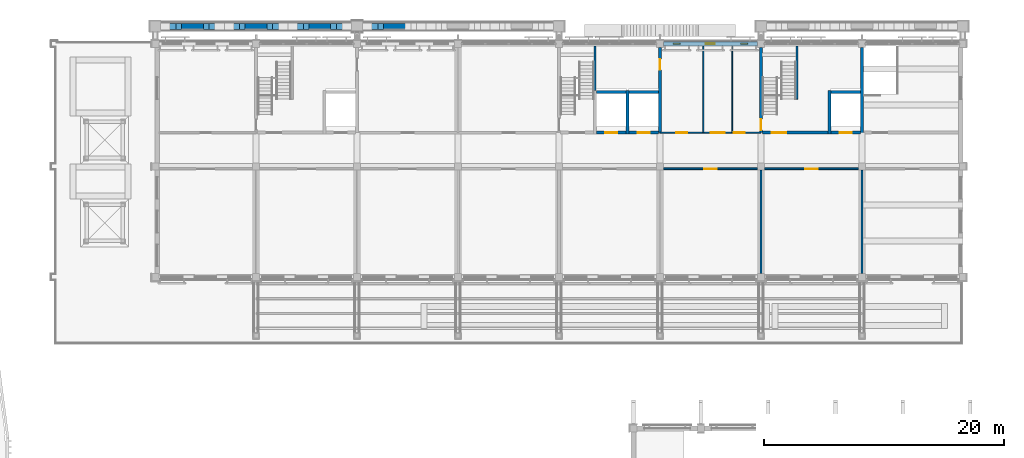
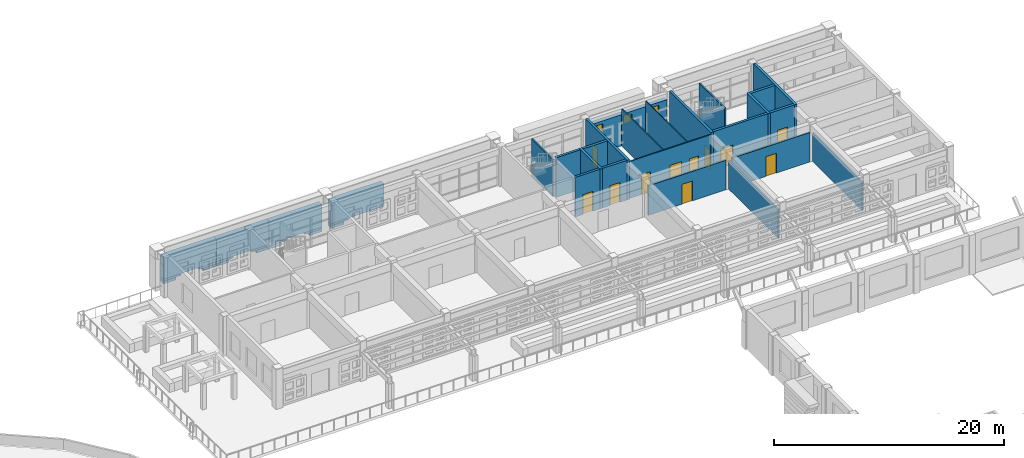
# One storey, part 30 of 68: 40 walls, 11 doors, 3 windows, 14 openings.
"""IFC4 building model written with IfcOpenShell, lengths in metres."""

from ifc_helpers import new_model, si_unit, direction, frame, frame_2d, origin, place, context, subcontext, project, spatial, rectangle, extrude, material, layer, layer_set, type_object, element, fill, save


model = new_model("IFC4")

# Units and contexts
model_context = context("Model", 3, precision=1e-05, world=origin(), true_north=direction((0.0, 1.0)))
body_context = subcontext(model_context, "Body", "Model", "MODEL_VIEW")
ifc_project = project(units=[si_unit("LENGTHUNIT", "METRE"), si_unit("AREAUNIT", "SQUARE_METRE"), si_unit("VOLUMEUNIT", "CUBIC_METRE"), si_unit("PLANEANGLEUNIT", "RADIAN"), si_unit("MASSUNIT", "GRAM", prefix="KILO")], contexts=[model_context])

# Site, building, storey
site_placement = place(None, origin())
site = spatial("IfcSite", under=ifc_project, at=site_placement, CompositionType="ELEMENT")
building_placement = place(site_placement, origin())
building = spatial("IfcBuilding", under=site, at=building_placement, Name="Wasatch Bagh Community Centre", CompositionType="ELEMENT")
storey_placement = place(building_placement, frame((0.0, 0.0, 8.39990234375)))
storey = spatial("IfcBuildingStorey", under=building, at=storey_placement, Name="L02", CompositionType="ELEMENT", Elevation=8.39990234375)

# Wall, opening, door
ifc_material_1 = material(Name="Concrete C40", Category="concrete")
ifc_layer_1 = layer(ifc_material_1, 0.25)
ifc_layer_set_1 = layer_set([ifc_layer_1], Name="Concrete C40")
wall_type_1 = type_object("IfcWallType", Name="LW core wall 250", PredefinedType="SHEAR", material=ifc_layer_set_1)
wall_1_placement = place(storey_placement, frame((109.125, 90.39990234375, 0.0), z_axis=(0.0, 0.0, 1.0), x_axis=(1.0, 0.0, 0.0)))
wall_1 = element("IfcWall", 1, at=wall_1_placement, inside=storey, type_object=wall_type_1, Name="LW.swall.L02.04", PredefinedType="SHEAR", context=body_context, shape_type="SweptSolid", body=[
    extrude(rectangle(XDim=2.449951171875, YDim=0.25, at=frame_2d((1.22509765625, 0.0))), origin(), (0.0, 0.0, 1.0), 4.2001953125),
])
opening_1_placement = place(wall_1_placement, frame((0.72509765625, 0.0, 0.0)))
opening_1 = element("IfcOpeningElement", 2, at=opening_1_placement, cuts=wall_1, Name="Opening 2L-31", PredefinedType="OPENING", context=body_context, shape_type="SweptSolid", body=[
    extrude(rectangle(XDim=1.0, YDim=2.10009765625, at=frame_2d((0.5, 1.050048828125))), frame((0.0, 0.135009765625, 0.0), z_axis=(0.0, -1.0, 0.0), x_axis=(1.0, 0.0, 0.0)), (0.0, 0.0, 1.0), 0.27001953125),
])
ifc_material_2 = material(Name="Stainless steel landing door", Category="steel")
door_type_1 = type_object("IfcDoorType", Name="Lift landing door 1000 x 2100", OperationType="SLIDING_TO_LEFT", PredefinedType="DOOR", material=ifc_material_2)
door_1_placement = place(opening_1_placement, origin())
door_1 = element("IfcDoor", 3, at=door_1_placement, inside=storey, type_object=door_type_1, Name="Lift landing door LD 2L-31", OperationType="SLIDING_TO_LEFT", OverallHeight=2.10009765625, OverallWidth=1.0, PredefinedType="DOOR", context=body_context, shape_type="SweptSolid", body=[
    extrude(rectangle(XDim=1.0, YDim=2.10009765625, at=frame_2d((0.5, 1.050048828125))), frame((0.0, 0.02490234375, 0.0), z_axis=(0.0, -1.0, 0.0), x_axis=(1.0, 0.0, 0.0)), (0.0, 0.0, 1.0), 0.050048828125),
])
fill(opening_1, door_1)

wall_2_placement = place(storey_placement, frame((111.824951171875, 90.39990234375, 0.0), z_axis=(0.0, 0.0, 1.0), x_axis=(1.0, 0.0, 0.0)))
wall_2 = element("IfcWall", 4, at=wall_2_placement, inside=storey, type_object=wall_type_1, Name="LW.swall.L02.05", PredefinedType="SHEAR", context=body_context, shape_type="SweptSolid", body=[
    extrude(rectangle(XDim=2.449951171875, YDim=0.25, at=frame_2d((1.22509765625, 0.0))), origin(), (0.0, 0.0, 1.0), 4.2001953125),
])
opening_2_placement = place(wall_2_placement, frame((0.72509765625, 0.0, 0.0)))
opening_2 = element("IfcOpeningElement", 5, at=opening_2_placement, cuts=wall_2, Name="Opening 2L-32", PredefinedType="OPENING", context=body_context, shape_type="SweptSolid", body=[
    extrude(rectangle(XDim=1.0, YDim=2.10009765625, at=frame_2d((0.5, 1.050048828125))), frame((0.0, 0.135009765625, 0.0), z_axis=(0.0, -1.0, 0.0), x_axis=(1.0, 0.0, 0.0)), (0.0, 0.0, 1.0), 0.27001953125),
])
door_2_placement = place(opening_2_placement, origin())
door_2 = element("IfcDoor", 6, at=door_2_placement, inside=storey, type_object=door_type_1, Name="Lift landing door LD 2L-32", OperationType="SLIDING_TO_LEFT", OverallHeight=2.10009765625, OverallWidth=1.0, PredefinedType="DOOR", context=body_context, shape_type="SweptSolid", body=[
    extrude(rectangle(XDim=1.0, YDim=2.10009765625, at=frame_2d((0.5, 1.050048828125))), frame((0.0, 0.02490234375, 0.0), z_axis=(0.0, -1.0, 0.0), x_axis=(1.0, 0.0, 0.0)), (0.0, 0.0, 1.0), 0.050048828125),
])
fill(opening_2, door_2)

wall_3_placement = place(storey_placement, frame((122.925048828125, 90.39990234375, 0.0), z_axis=(0.0, 0.0, 1.0), x_axis=(1.0, 0.0, 0.0)))
wall_3 = element("IfcWall", 7, at=wall_3_placement, inside=storey, type_object=wall_type_1, Name="LW.swall.L02.06", PredefinedType="SHEAR", context=body_context, shape_type="SweptSolid", body=[
    extrude(rectangle(XDim=5.449951171875, YDim=0.25, at=frame_2d((2.72509765625, 0.0))), origin(), (0.0, 0.0, 1.0), 4.2001953125),
])
opening_3_placement = place(wall_3_placement, frame((0.77490234375, 0.0, 0.0)))
opening_3 = element("IfcOpeningElement", 8, at=opening_3_placement, cuts=wall_3, Name="Opening 2L-33", PredefinedType="OPENING", context=body_context, shape_type="SweptSolid", body=[
    extrude(rectangle(XDim=1.199951171875, YDim=2.10009765625, at=frame_2d((0.60009765625, 1.050048828125))), frame((0.0, 0.135009765625, 0.0), z_axis=(0.0, -1.0, 0.0), x_axis=(1.0, 0.0, 0.0)), (0.0, 0.0, 1.0), 0.27001953125),
])
ifc_material_3 = material(Name="Painted timber", Category="wood")
door_type_2 = type_object("IfcDoorType", Name="LW stair door 1200x2100", OperationType="SINGLE_SWING_LEFT", PredefinedType="DOOR", material=ifc_material_3)
door_3_placement = place(opening_3_placement, origin())
door_3 = element("IfcDoor", 9, at=door_3_placement, inside=storey, type_object=door_type_2, Name="Stair door 2L-33", OperationType="SINGLE_SWING_LEFT", OverallHeight=2.10009765625, OverallWidth=1.199951171875, PredefinedType="DOOR", context=body_context, shape_type="SweptSolid", body=[
    extrude(rectangle(XDim=1.199951171875, YDim=2.10009765625, at=frame_2d((0.60009765625, 1.050048828125))), frame((0.0, 0.02490234375, 0.0), z_axis=(0.0, -1.0, 0.0), x_axis=(1.0, 0.0, 0.0)), (0.0, 0.0, 1.0), 0.050048828125),
])
fill(opening_3, door_3)

wall_4_placement = place(storey_placement, frame((128.625, 90.39990234375, 0.0), z_axis=(0.0, 0.0, 1.0), x_axis=(1.0, 0.0, 0.0)))
wall_4 = element("IfcWall", 10, at=wall_4_placement, inside=storey, type_object=wall_type_1, Name="LW.swall.L02.07", PredefinedType="SHEAR", context=body_context, shape_type="SweptSolid", body=[
    extrude(rectangle(XDim=2.449951171875, YDim=0.25, at=frame_2d((1.22509765625, 0.0))), origin(), (0.0, 0.0, 1.0), 4.2001953125),
])
opening_4_placement = place(wall_4_placement, frame((0.72509765625, 0.0, 0.0)))
opening_4 = element("IfcOpeningElement", 11, at=opening_4_placement, cuts=wall_4, Name="Opening 2L-34", PredefinedType="OPENING", context=body_context, shape_type="SweptSolid", body=[
    extrude(rectangle(XDim=1.0, YDim=2.10009765625, at=frame_2d((0.5, 1.050048828125))), frame((0.0, 0.135009765625, 0.0), z_axis=(0.0, -1.0, 0.0), x_axis=(1.0, 0.0, 0.0)), (0.0, 0.0, 1.0), 0.27001953125),
])
door_4_placement = place(opening_4_placement, origin())
door_4 = element("IfcDoor", 12, at=door_4_placement, inside=storey, type_object=door_type_1, Name="Lift landing door LD 2L-34", OperationType="SLIDING_TO_LEFT", OverallHeight=2.10009765625, OverallWidth=1.0, PredefinedType="DOOR", context=body_context, shape_type="SweptSolid", body=[
    extrude(rectangle(XDim=1.0, YDim=2.10009765625, at=frame_2d((0.5, 1.050048828125))), frame((0.0, 0.02490234375, 0.0), z_axis=(0.0, -1.0, 0.0), x_axis=(1.0, 0.0, 0.0)), (0.0, 0.0, 1.0), 0.050048828125),
])
fill(opening_4, door_4)

# Walls
for number, where, z_axis, x_axis, name in (
    (13, (109.125, 93.800048828125, 0.0), (0.0, 0.0, 1.0), (1.0, 0.0, 0.0), "LW.swall.L02.10"),
    (14, (111.824951171875, 93.800048828125, 0.0), (0.0, 0.0, 1.0), (1.0, 0.0, 0.0), "LW.swall.L02.11"),
    (15, (128.625, 93.800048828125, 0.0), (0.0, 0.0, 1.0), (1.0, 0.0, 0.0), "LW.swall.L02.12"),
):
    element("IfcWall", number, at=place(storey_placement, frame(where, z_axis=z_axis, x_axis=x_axis)), inside=storey, type_object=wall_type_1, Name=name, PredefinedType="SHEAR", context=body_context, shape_type="SweptSolid", body=[
        extrude(rectangle(XDim=2.449951171875, YDim=0.25, at=frame_2d((1.22509765625, 0.0))), origin(), (0.0, 0.0, 1.0), 4.2001953125),
    ])
wall_5_placement = place(storey_placement, frame((111.699951171875, 90.27490234375, 0.0), z_axis=(0.0, 0.0, 1.0), x_axis=(0.0, 1.0, 0.0)))
element("IfcWall", 16, at=wall_5_placement, inside=storey, type_object=wall_type_1, Name="LW.swall.L02.20", PredefinedType="SHEAR", context=body_context, shape_type="SweptSolid", body=[
    extrude(rectangle(XDim=3.650146484375, YDim=0.25, at=frame_2d((1.8251953125, 0.0))), origin(), (0.0, 0.0, 1.0), 4.2001953125),
])

# Wall, opening, door
wall_6_placement = place(storey_placement, frame((114.39990234375, 90.27490234375, 0.0), z_axis=(0.0, 0.0, 1.0), x_axis=(0.0, 1.0, 0.0)))
wall_6 = element("IfcWall", 17, at=wall_6_placement, inside=storey, type_object=wall_type_1, Name="LW.swall.L02.21", PredefinedType="SHEAR", context=body_context, shape_type="SweptSolid", body=[
    extrude(rectangle(XDim=7.22509765625, YDim=0.25, at=frame_2d((3.612548828125, 0.0))), origin(), (0.0, 0.0, 1.0), 4.2001953125),
])
opening_5_placement = place(wall_6_placement, frame((5.35009765625, 0.0, 0.0)))
opening_5 = element("IfcOpeningElement", 18, at=opening_5_placement, cuts=wall_6, Name="Opening 2L-24", PredefinedType="OPENING", context=body_context, shape_type="SweptSolid", body=[
    extrude(rectangle(XDim=0.89990234375, YDim=2.10009765625, at=frame_2d((0.449951171875, 1.050048828125))), frame((0.0, 0.135009765625, 0.0), z_axis=(0.0, -1.0, 0.0), x_axis=(1.0, 0.0, 0.0)), (0.0, 0.0, 1.0), 0.27001953125),
])
door_type_3 = type_object("IfcDoorType", Name="LW WC door 900x2100", OperationType="SINGLE_SWING_LEFT", PredefinedType="DOOR", material=ifc_material_3)
door_5_placement = place(opening_5_placement, origin())
door_5 = element("IfcDoor", 19, at=door_5_placement, inside=storey, type_object=door_type_3, Name="Door Women's Toilets 2L-24", OperationType="SINGLE_SWING_RIGHT", OverallHeight=2.10009765625, OverallWidth=0.89990234375, PredefinedType="DOOR", context=body_context, shape_type="SweptSolid", body=[
    extrude(rectangle(XDim=0.89990234375, YDim=2.10009765625, at=frame_2d((0.449951171875, 1.050048828125))), frame((0.0, 0.02490234375, 0.0), z_axis=(0.0, -1.0, 0.0), x_axis=(1.0, 0.0, 0.0)), (0.0, 0.0, 1.0), 0.050048828125),
])
fill(opening_5, door_5)

wall_7_placement = place(storey_placement, frame((122.800048828125, 90.27490234375, 0.0), z_axis=(0.0, 0.0, 1.0), x_axis=(0.0, 1.0, 0.0)))
wall_7 = element("IfcWall", 20, at=wall_7_placement, inside=storey, type_object=wall_type_1, Name="LW.swall.L02.22", PredefinedType="SHEAR", context=body_context, shape_type="SweptSolid", body=[
    extrude(rectangle(XDim=7.22509765625, YDim=0.25, at=frame_2d((3.612548828125, 0.0))), origin(), (0.0, 0.0, 1.0), 4.2001953125),
])
opening_6_placement = place(wall_7_placement, frame((0.35009765625, 0.0, 0.0)))
opening_6 = element("IfcOpeningElement", 21, at=opening_6_placement, cuts=wall_7, Name="Opening 2L-27", PredefinedType="OPENING", context=body_context, shape_type="SweptSolid", body=[
    extrude(rectangle(XDim=0.89990234375, YDim=2.10009765625, at=frame_2d((0.449951171875, 1.050048828125))), frame((0.0, 0.135009765625, 0.0), z_axis=(0.0, -1.0, 0.0), x_axis=(1.0, 0.0, 0.0)), (0.0, 0.0, 1.0), 0.27001953125),
])
door_6_placement = place(opening_6_placement, origin())
door_6 = element("IfcDoor", 22, at=door_6_placement, inside=storey, type_object=door_type_3, Name="Door Men's Toilets 2L-27", OperationType="SINGLE_SWING_LEFT", OverallHeight=2.10009765625, OverallWidth=0.89990234375, PredefinedType="DOOR", context=body_context, shape_type="SweptSolid", body=[
    extrude(rectangle(XDim=0.89990234375, YDim=2.10009765625, at=frame_2d((0.449951171875, 1.050048828125))), frame((0.0, 0.02490234375, 0.0), z_axis=(0.0, -1.0, 0.0), x_axis=(1.0, 0.0, 0.0)), (0.0, 0.0, 1.0), 0.050048828125),
])
fill(opening_6, door_6)

# Walls
wall_8_placement = place(storey_placement, frame((128.5, 90.27490234375, 0.0), z_axis=(0.0, 0.0, 1.0), x_axis=(0.0, 1.0, 0.0)))
element("IfcWall", 23, at=wall_8_placement, inside=storey, type_object=wall_type_1, Name="LW.swall.L02.23", PredefinedType="SHEAR", context=body_context, shape_type="SweptSolid", body=[
    extrude(rectangle(XDim=3.650146484375, YDim=0.25, at=frame_2d((1.8251953125, 0.0))), origin(), (0.0, 0.0, 1.0), 4.2001953125),
])
wall_9_placement = place(storey_placement, frame((131.199951171875, 90.27490234375, 0.0), z_axis=(0.0, 0.0, 1.0), x_axis=(0.0, 1.0, 0.0)))
element("IfcWall", 24, at=wall_9_placement, inside=storey, type_object=wall_type_1, Name="LW.swall.L02.24", PredefinedType="SHEAR", context=body_context, shape_type="SweptSolid", body=[
    extrude(rectangle(XDim=7.22509765625, YDim=0.25, at=frame_2d((3.612548828125, 0.0))), origin(), (0.0, 0.0, 1.0), 4.2001953125),
])

# Wall, openings, windows
ifc_material_4 = material(Name="Concrete C35", Category="concrete")
ifc_layer_2 = layer(ifc_material_4, 0.39990234375)
ifc_layer_set_2 = layer_set([ifc_layer_2], Name="Concrete C35")
wall_type_2 = type_object("IfcWallType", Name="LW facade wall 400", PredefinedType="SOLIDWALL", material=ifc_layer_set_2)
wall_10_placement = place(storey_placement, frame((114.699951171875, 97.800048828125, 0.0), z_axis=(0.0, 0.0, 1.0), x_axis=(1.0, 0.0, 0.0)))
wall_10 = element("IfcWall", 25, at=wall_10_placement, inside=storey, type_object=wall_type_2, Name="Facade wall", PredefinedType="SOLIDWALL", context=body_context, shape_type="SweptSolid", body=[
    extrude(rectangle(XDim=7.800048828125, YDim=0.39990234375, at=frame_2d((3.89990234375, 0.0))), origin(), (0.0, 0.0, 1.0), 3.320068359375),
])
opening_7_placement = place(wall_10_placement, frame((0.800048828125, 0.0, 2.10009765625)))
opening_7 = element("IfcOpeningElement", 26, at=opening_7_placement, cuts=wall_10, Name="Opening 2L-W023", PredefinedType="OPENING", context=body_context, shape_type="SweptSolid", body=[
    extrude(rectangle(XDim=0.60009765625, YDim=0.89990234375, at=frame_2d((0.300048828125, 0.449951171875))), frame((0.0, 0.2099609375, 0.0), z_axis=(0.0, -1.0, 0.0), x_axis=(1.0, 0.0, 0.0)), (0.0, 0.0, 1.0), 0.419921875),
])
opening_8_placement = place(wall_10_placement, frame((3.52490234375, 0.0, 2.10009765625)))
opening_8 = element("IfcOpeningElement", 27, at=opening_8_placement, cuts=wall_10, Name="Opening 2L-W024", PredefinedType="OPENING", context=body_context, shape_type="SweptSolid", body=[
    extrude(rectangle(XDim=0.75, YDim=0.89990234375, at=frame_2d((0.375, 0.449951171875))), frame((0.0, 0.2099609375, 0.0), z_axis=(0.0, -1.0, 0.0), x_axis=(1.0, 0.0, 0.0)), (0.0, 0.0, 1.0), 0.419921875),
])
opening_9_placement = place(wall_10_placement, frame((6.39990234375, 0.0, 2.10009765625)))
opening_9 = element("IfcOpeningElement", 28, at=opening_9_placement, cuts=wall_10, Name="Opening 2L-W025", PredefinedType="OPENING", context=body_context, shape_type="SweptSolid", body=[
    extrude(rectangle(XDim=0.60009765625, YDim=0.89990234375, at=frame_2d((0.300048828125, 0.449951171875))), frame((0.0, 0.2099609375, 0.0), z_axis=(0.0, -1.0, 0.0), x_axis=(1.0, 0.0, 0.0)), (0.0, 0.0, 1.0), 0.419921875),
])
ifc_material_5 = material(Name="Aluminium framed double glazing", Category="aluminium")
window_type_1 = type_object("IfcWindowType", Name="LW WC window 600x900", PartitioningType="SINGLE_PANEL", PredefinedType="WINDOW", material=ifc_material_5)
window_1_placement = place(opening_7_placement, origin())
window_1 = element("IfcWindow", 29, at=window_1_placement, inside=storey, type_object=window_type_1, Name="Window 2L-W023", OverallHeight=0.89990234375, OverallWidth=0.60009765625, PartitioningType="SINGLE_PANEL", PredefinedType="WINDOW", context=body_context, shape_type="SweptSolid", body=[
    extrude(rectangle(XDim=0.60009765625, YDim=0.89990234375, at=frame_2d((0.300048828125, 0.449951171875))), frame((0.0, 0.030029296875, 0.0), z_axis=(0.0, -1.0, 0.0), x_axis=(1.0, 0.0, 0.0)), (0.0, 0.0, 1.0), 0.06005859375),
])
fill(opening_7, window_1)
window_2_placement = place(opening_9_placement, origin())
window_2 = element("IfcWindow", 30, at=window_2_placement, inside=storey, type_object=window_type_1, Name="Window 2L-W025", OverallHeight=0.89990234375, OverallWidth=0.60009765625, PartitioningType="SINGLE_PANEL", PredefinedType="WINDOW", context=body_context, shape_type="SweptSolid", body=[
    extrude(rectangle(XDim=0.60009765625, YDim=0.89990234375, at=frame_2d((0.300048828125, 0.449951171875))), frame((0.0, 0.030029296875, 0.0), z_axis=(0.0, -1.0, 0.0), x_axis=(1.0, 0.0, 0.0)), (0.0, 0.0, 1.0), 0.06005859375),
])
fill(opening_9, window_2)
window_type_2 = type_object("IfcWindowType", Name="LW accessible WC window 750x900", PartitioningType="SINGLE_PANEL", PredefinedType="WINDOW", material=ifc_material_5)
window_3_placement = place(opening_8_placement, origin())
window_3 = element("IfcWindow", 31, at=window_3_placement, inside=storey, type_object=window_type_2, Name="Window 2L-W024", OverallHeight=0.89990234375, OverallWidth=0.75, PartitioningType="SINGLE_PANEL", PredefinedType="WINDOW", context=body_context, shape_type="SweptSolid", body=[
    extrude(rectangle(XDim=0.75, YDim=0.89990234375, at=frame_2d((0.375, 0.449951171875))), frame((0.0, 0.030029296875, 0.0), z_axis=(0.0, -1.0, 0.0), x_axis=(1.0, 0.0, 0.0)), (0.0, 0.0, 1.0), 0.06005859375),
])
fill(opening_8, window_3)

# Wall, opening, door
ifc_material_6 = material(Name="Gypsum board on steel studs", Category="steel")
ifc_layer_3 = layer(ifc_material_6, 0.14990234375)
ifc_layer_set_3 = layer_set([ifc_layer_3], Name="Gypsum board on steel studs")
wall_type_3 = type_object("IfcWallType", Name="LW partition 150", PredefinedType="PARTITIONING", material=ifc_layer_set_3)
wall_11_placement = place(storey_placement, frame((114.699951171875, 87.39990234375, 0.0), z_axis=(0.0, 0.0, 1.0), x_axis=(1.0, 0.0, 0.0)))
wall_11 = element("IfcWall", 32, at=wall_11_placement, inside=storey, type_object=wall_type_3, Name="LW.part.L02.003", PredefinedType="PARTITIONING", context=body_context, shape_type="SweptSolid", body=[
    extrude(rectangle(XDim=7.800048828125, YDim=0.14990234375, at=frame_2d((3.89990234375, 0.0))), origin(), (0.0, 0.0, 1.0), 3.1201171875),
])
opening_10_placement = place(wall_11_placement, frame((3.375, 0.0, 0.0)))
opening_10 = element("IfcOpeningElement", 33, at=opening_10_placement, cuts=wall_11, Name="Opening 2L-14", PredefinedType="OPENING", context=body_context, shape_type="SweptSolid", body=[
    extrude(rectangle(XDim=1.050048828125, YDim=2.10009765625, at=frame_2d((0.52490234375, 1.050048828125))), frame((0.0, 0.0849609375, 0.0), z_axis=(0.0, -1.0, 0.0), x_axis=(1.0, 0.0, 0.0)), (0.0, 0.0, 1.0), 0.169921875),
])
door_type_4 = type_object("IfcDoorType", Name="LW classroom door 1050x2100", OperationType="SINGLE_SWING_LEFT", PredefinedType="DOOR", material=ifc_material_3)
door_7_placement = place(opening_10_placement, origin())
door_7 = element("IfcDoor", 34, at=door_7_placement, inside=storey, type_object=door_type_4, Name="Door Seminar Room 2 2L-14", OperationType="SINGLE_SWING_RIGHT", OverallHeight=2.10009765625, OverallWidth=1.050048828125, PredefinedType="DOOR", context=body_context, shape_type="SweptSolid", body=[
    extrude(rectangle(XDim=1.050048828125, YDim=2.10009765625, at=frame_2d((0.52490234375, 1.050048828125))), frame((0.0, 0.02490234375, 0.0), z_axis=(0.0, -1.0, 0.0), x_axis=(1.0, 0.0, 0.0)), (0.0, 0.0, 1.0), 0.050048828125),
])
fill(opening_10, door_7)

wall_12_placement = place(storey_placement, frame((123.10009765625, 87.39990234375, 0.0), z_axis=(0.0, 0.0, 1.0), x_axis=(1.0, 0.0, 0.0)))
wall_12 = element("IfcWall", 35, at=wall_12_placement, inside=storey, type_object=wall_type_3, Name="LW.part.L02.004", PredefinedType="PARTITIONING", context=body_context, shape_type="SweptSolid", body=[
    extrude(rectangle(XDim=7.7998046875, YDim=0.14990234375, at=frame_2d((3.89990234375, 0.0))), origin(), (0.0, 0.0, 1.0), 3.1201171875),
])
opening_11_placement = place(wall_12_placement, frame((3.375, 0.0, 0.0)))
opening_11 = element("IfcOpeningElement", 36, at=opening_11_placement, cuts=wall_12, Name="Opening 2L-15", PredefinedType="OPENING", context=body_context, shape_type="SweptSolid", body=[
    extrude(rectangle(XDim=1.050048828125, YDim=2.10009765625, at=frame_2d((0.52490234375, 1.050048828125))), frame((0.0, 0.0849609375, 0.0), z_axis=(0.0, -1.0, 0.0), x_axis=(1.0, 0.0, 0.0)), (0.0, 0.0, 1.0), 0.169921875),
])
door_8_placement = place(opening_11_placement, origin())
door_8 = element("IfcDoor", 37, at=door_8_placement, inside=storey, type_object=door_type_4, Name="Door Classroom 7 2L-15", OperationType="SINGLE_SWING_LEFT", OverallHeight=2.10009765625, OverallWidth=1.050048828125, PredefinedType="DOOR", context=body_context, shape_type="SweptSolid", body=[
    extrude(rectangle(XDim=1.050048828125, YDim=2.10009765625, at=frame_2d((0.52490234375, 1.050048828125))), frame((0.0, 0.02490234375, 0.0), z_axis=(0.0, -1.0, 0.0), x_axis=(1.0, 0.0, 0.0)), (0.0, 0.0, 1.0), 0.050048828125),
])
fill(opening_11, door_8)

# Walls
for number, where, z_axis, x_axis, name in (
    (38, (122.800048828125, 78.699951171875, 0.0), (0.0, 0.0, 1.0), (0.0, 1.0, 0.0), "LW.part.L02.020"),
    (39, (131.199951171875, 78.699951171875, 0.0), (0.0, 0.0, 1.0), (0.0, 1.0, 0.0), "LW.part.L02.021"),
):
    element("IfcWall", number, at=place(storey_placement, frame(where, z_axis=z_axis, x_axis=x_axis)), inside=storey, type_object=wall_type_3, Name=name, PredefinedType="PARTITIONING", context=body_context, shape_type="SweptSolid", body=[
        extrude(rectangle(XDim=8.60009765625, YDim=0.14990234375, at=frame_2d((4.300048828125, 0.0))), origin(), (0.0, 0.0, 1.0), 3.02001953125),
    ])
wall_13_placement = place(storey_placement, frame((109.0, 93.925048828125, 0.0), z_axis=(0.0, 0.0, 1.0), x_axis=(0.0, 1.0, 0.0)))
element("IfcWall", 40, at=wall_13_placement, inside=storey, type_object=wall_type_3, Name="Stair compartment wall", PredefinedType="PARTITIONING", context=body_context, shape_type="SweptSolid", body=[
    extrude(rectangle(XDim=3.675048828125, YDim=0.14990234375, at=frame_2d((1.83740234375, 0.0))), origin(), (0.0, 0.0, 1.0), 3.920166015625),
])
wall_14_placement = place(storey_placement, frame((125.800048828125, 93.199951171875, 0.0), z_axis=(0.0, 0.0, 1.0), x_axis=(0.0, 1.0, 0.0)))
element("IfcWall", 41, at=wall_14_placement, inside=storey, type_object=wall_type_3, Name="Stair compartment wall", PredefinedType="PARTITIONING", context=body_context, shape_type="SweptSolid", body=[
    extrude(rectangle(XDim=4.400146484375, YDim=0.14990234375, at=frame_2d((2.2001953125, 0.0))), origin(), (0.0, 0.0, 1.0), 3.920166015625),
])

# Wall, openings, doors
ifc_material_7 = material(Name="Tiled blockwork", Category="masonry")
ifc_layer_4 = layer(ifc_material_7, 0.10009765625)
ifc_layer_set_4 = layer_set([ifc_layer_4], Name="Tiled blockwork")
wall_type_4 = type_object("IfcWallType", Name="LW wet-room partition 100", PredefinedType="PARTITIONING", material=ifc_layer_set_4)
wall_15_placement = place(storey_placement, frame((114.39990234375, 90.39990234375, 0.0), z_axis=(0.0, 0.0, 1.0), x_axis=(1.0, 0.0, 0.0)))
wall_15 = element("IfcWall", 42, at=wall_15_placement, inside=storey, type_object=wall_type_4, Name="LW.part.L02.011", PredefinedType="PARTITIONING", context=body_context, shape_type="SweptSolid", body=[
    extrude(rectangle(XDim=8.400146484375, YDim=0.10009765625, at=frame_2d((4.2001953125, 0.0))), origin(), (0.0, 0.0, 1.0), 3.920166015625),
])
opening_12_placement = place(wall_15_placement, frame((1.35009765625, 0.0, 0.0)))
opening_12 = element("IfcOpeningElement", 43, at=opening_12_placement, cuts=wall_15, Name="Opening 2L-23", PredefinedType="OPENING", context=body_context, shape_type="SweptSolid", body=[
    extrude(rectangle(XDim=0.89990234375, YDim=2.10009765625, at=frame_2d((0.449951171875, 1.050048828125))), frame((0.0, 0.06005859375, 0.0), z_axis=(0.0, -1.0, 0.0), x_axis=(1.0, 0.0, 0.0)), (0.0, 0.0, 1.0), 0.1201171875),
])
opening_13_placement = place(wall_15_placement, frame((4.22509765625, 0.0, 0.0)))
opening_13 = element("IfcOpeningElement", 44, at=opening_13_placement, cuts=wall_15, Name="Opening 2L-25", PredefinedType="OPENING", context=body_context, shape_type="SweptSolid", body=[
    extrude(rectangle(XDim=1.14990234375, YDim=2.10009765625, at=frame_2d((0.574951171875, 1.050048828125))), frame((0.0, 0.06005859375, 0.0), z_axis=(0.0, -1.0, 0.0), x_axis=(1.0, 0.0, 0.0)), (0.0, 0.0, 1.0), 0.1201171875),
])
opening_14_placement = place(wall_15_placement, frame((6.14990234375, 0.0, 0.0)))
opening_14 = element("IfcOpeningElement", 45, at=opening_14_placement, cuts=wall_15, Name="Opening 2L-26", PredefinedType="OPENING", context=body_context, shape_type="SweptSolid", body=[
    extrude(rectangle(XDim=0.89990234375, YDim=2.10009765625, at=frame_2d((0.449951171875, 1.050048828125))), frame((0.0, 0.06005859375, 0.0), z_axis=(0.0, -1.0, 0.0), x_axis=(1.0, 0.0, 0.0)), (0.0, 0.0, 1.0), 0.1201171875),
])
door_9_placement = place(opening_12_placement, origin())
door_9 = element("IfcDoor", 46, at=door_9_placement, inside=storey, type_object=door_type_3, Name="Door Women's Toilets 2L-23", OperationType="SINGLE_SWING_LEFT", OverallHeight=2.10009765625, OverallWidth=0.89990234375, PredefinedType="DOOR", context=body_context, shape_type="SweptSolid", body=[
    extrude(rectangle(XDim=0.89990234375, YDim=2.10009765625, at=frame_2d((0.449951171875, 1.050048828125))), frame((0.0, 0.02490234375, 0.0), z_axis=(0.0, -1.0, 0.0), x_axis=(1.0, 0.0, 0.0)), (0.0, 0.0, 1.0), 0.050048828125),
])
fill(opening_12, door_9)
door_10_placement = place(opening_14_placement, origin())
door_10 = element("IfcDoor", 47, at=door_10_placement, inside=storey, type_object=door_type_3, Name="Door Men's Toilets 2L-26", OperationType="SINGLE_SWING_RIGHT", OverallHeight=2.10009765625, OverallWidth=0.89990234375, PredefinedType="DOOR", context=body_context, shape_type="SweptSolid", body=[
    extrude(rectangle(XDim=0.89990234375, YDim=2.10009765625, at=frame_2d((0.449951171875, 1.050048828125))), frame((0.0, 0.02490234375, 0.0), z_axis=(0.0, -1.0, 0.0), x_axis=(1.0, 0.0, 0.0)), (0.0, 0.0, 1.0), 0.050048828125),
])
fill(opening_14, door_10)
door_type_5 = type_object("IfcDoorType", Name="LW accessible WC door 1150x2100", OperationType="SINGLE_SWING_LEFT", PredefinedType="DOOR", material=ifc_material_3)
door_11_placement = place(opening_13_placement, origin())
door_11 = element("IfcDoor", 48, at=door_11_placement, inside=storey, type_object=door_type_5, Name="Door Accessible WC 3 2L-25", OperationType="SINGLE_SWING_LEFT", OverallHeight=2.10009765625, OverallWidth=1.14990234375, PredefinedType="DOOR", context=body_context, shape_type="SweptSolid", body=[
    extrude(rectangle(XDim=1.14990234375, YDim=2.10009765625, at=frame_2d((0.574951171875, 1.050048828125))), frame((0.0, 0.02490234375, 0.0), z_axis=(0.0, -1.0, 0.0), x_axis=(1.0, 0.0, 0.0)), (0.0, 0.0, 1.0), 0.050048828125),
])
fill(opening_13, door_11)

# Walls
for number, where, z_axis, x_axis, name in (
    (49, (118.0, 90.39990234375, 0.0), (0.0, 0.0, 1.0), (0.0, 1.0, 0.0), "LW.part.L02.018"),
    (50, (120.39990234375, 90.39990234375, 0.0), (0.0, 0.0, 1.0), (0.0, 1.0, 0.0), "LW.part.L02.019"),
):
    element("IfcWall", number, at=place(storey_placement, frame(where, z_axis=z_axis, x_axis=x_axis)), inside=storey, type_object=wall_type_4, Name=name, PredefinedType="PARTITIONING", context=body_context, shape_type="SweptSolid", body=[
        extrude(rectangle(XDim=7.2001953125, YDim=0.10009765625, at=frame_2d((3.60009765625, 0.0))), origin(), (0.0, 0.0, 1.0), 3.920166015625),
    ])
ifc_layer_5 = layer(ifc_material_1, 0.5)
ifc_layer_set_5 = layer_set([ifc_layer_5], Name="Concrete C40")
wall_type_5 = type_object("IfcWallType", Name="LW-W6", PredefinedType="STANDARD", material=ifc_layer_set_5)
for number, where, z_axis, x_axis, name in (
    (51, (72.85009765625, 99.25, 0.300048828125), (0.0, 0.0, 1.0), (1.0, 0.0, 0.0), "LW-W6 arcade arch spandrel"),
    (52, (78.14990234375, 99.25, 0.300048828125), (0.0, 0.0, 1.0), (-1.0, 0.0, 0.0), "LW-W6 arcade arch spandrel"),
):
    element("IfcWall", number, at=place(storey_placement, frame(where, z_axis=z_axis, x_axis=x_axis)), inside=storey, type_object=wall_type_5, Name=name, PredefinedType="STANDARD", context=body_context, shape_type="SweptSolid", body=[
        extrude(rectangle(XDim=1.271484375, YDim=0.5, at=frame_2d((0.6357421875, 0.0))), origin(), (0.0, 0.0, 1.0), 0.300048828125),
    ])
for number, where, z_axis, x_axis, name in (
    (53, (72.85009765625, 99.25, 0.60009765625), (0.0, 0.0, 1.0), (1.0, 0.0, 0.0), "LW-W6 arcade arch spandrel"),
    (54, (78.14990234375, 99.25, 0.60009765625), (0.0, 0.0, 1.0), (-1.0, 0.0, 0.0), "LW-W6 arcade arch spandrel"),
):
    element("IfcWall", number, at=place(storey_placement, frame(where, z_axis=z_axis, x_axis=x_axis)), inside=storey, type_object=wall_type_5, Name=name, PredefinedType="STANDARD", context=body_context, shape_type="SweptSolid", body=[
        extrude(rectangle(XDim=1.744384765625, YDim=0.5, at=frame_2d((0.8720703125, 0.0))), origin(), (0.0, 0.0, 1.0), 0.199951171875),
    ])
wall_16_placement = place(storey_placement, frame((72.85009765625, 99.25, 0.800048828125), z_axis=(0.0, 0.0, 1.0), x_axis=(1.0, 0.0, 0.0)))
element("IfcWall", 55, at=wall_16_placement, inside=storey, type_object=wall_type_5, Name="LW-W6 arcade arch band", PredefinedType="STANDARD", context=body_context, shape_type="SweptSolid", body=[
    extrude(rectangle(XDim=5.2998046875, YDim=0.5, at=frame_2d((2.64990234375, 0.0))), origin(), (0.0, 0.0, 1.0), 2.400146484375),
])
wall_17_placement = place(storey_placement, frame((78.14990234375, 99.25, 0.300048828125), z_axis=(0.0, 0.0, 1.0), x_axis=(1.0, 0.0, 0.0)))
element("IfcWall", 56, at=wall_17_placement, inside=storey, type_object=wall_type_5, Name="LW-W6 arcade arch spandrel", PredefinedType="STANDARD", context=body_context, shape_type="SweptSolid", body=[
    extrude(rectangle(XDim=1.271728515625, YDim=0.5, at=frame_2d((0.6357421875, 0.0))), origin(), (0.0, 0.0, 1.0), 0.300048828125),
])
wall_18_placement = place(storey_placement, frame((83.449951171875, 99.25, 0.300048828125), z_axis=(0.0, 0.0, 1.0), x_axis=(-1.0, 0.0, 0.0)))
element("IfcWall", 57, at=wall_18_placement, inside=storey, type_object=wall_type_5, Name="LW-W6 arcade arch spandrel", PredefinedType="STANDARD", context=body_context, shape_type="SweptSolid", body=[
    extrude(rectangle(XDim=1.271484375, YDim=0.5, at=frame_2d((0.6357421875, 0.0))), origin(), (0.0, 0.0, 1.0), 0.300048828125),
])
wall_19_placement = place(storey_placement, frame((78.14990234375, 99.25, 0.60009765625), z_axis=(0.0, 0.0, 1.0), x_axis=(1.0, 0.0, 0.0)))
element("IfcWall", 58, at=wall_19_placement, inside=storey, type_object=wall_type_5, Name="LW-W6 arcade arch spandrel", PredefinedType="STANDARD", context=body_context, shape_type="SweptSolid", body=[
    extrude(rectangle(XDim=1.74462890625, YDim=0.5, at=frame_2d((0.872314453125, 0.0))), origin(), (0.0, 0.0, 1.0), 0.199951171875),
])
wall_20_placement = place(storey_placement, frame((83.449951171875, 99.25, 0.60009765625), z_axis=(0.0, 0.0, 1.0), x_axis=(-1.0, 0.0, 0.0)))
element("IfcWall", 59, at=wall_20_placement, inside=storey, type_object=wall_type_5, Name="LW-W6 arcade arch spandrel", PredefinedType="STANDARD", context=body_context, shape_type="SweptSolid", body=[
    extrude(rectangle(XDim=1.744384765625, YDim=0.5, at=frame_2d((0.8720703125, 0.0))), origin(), (0.0, 0.0, 1.0), 0.199951171875),
])
wall_21_placement = place(storey_placement, frame((78.14990234375, 99.25, 0.800048828125), z_axis=(0.0, 0.0, 1.0), x_axis=(1.0, 0.0, 0.0)))
element("IfcWall", 60, at=wall_21_placement, inside=storey, type_object=wall_type_5, Name="LW-W6 arcade arch band", PredefinedType="STANDARD", context=body_context, shape_type="SweptSolid", body=[
    extrude(rectangle(XDim=5.300048828125, YDim=0.5, at=frame_2d((2.64990234375, 0.0))), origin(), (0.0, 0.0, 1.0), 2.400146484375),
])
wall_22_placement = place(storey_placement, frame((83.449951171875, 99.25, 0.300048828125), z_axis=(0.0, 0.0, 1.0), x_axis=(1.0, 0.0, 0.0)))
element("IfcWall", 61, at=wall_22_placement, inside=storey, type_object=wall_type_5, Name="LW-W6 arcade arch spandrel", PredefinedType="STANDARD", context=body_context, shape_type="SweptSolid", body=[
    extrude(rectangle(XDim=1.271728515625, YDim=0.5, at=frame_2d((0.6357421875, 0.0))), origin(), (0.0, 0.0, 1.0), 0.300048828125),
])
wall_23_placement = place(storey_placement, frame((88.75, 99.25, 0.300048828125), z_axis=(0.0, 0.0, 1.0), x_axis=(-1.0, 0.0, 0.0)))
element("IfcWall", 62, at=wall_23_placement, inside=storey, type_object=wall_type_5, Name="LW-W6 arcade arch spandrel", PredefinedType="STANDARD", context=body_context, shape_type="SweptSolid", body=[
    extrude(rectangle(XDim=1.271484375, YDim=0.5, at=frame_2d((0.6357421875, 0.0))), origin(), (0.0, 0.0, 1.0), 0.300048828125),
])
wall_24_placement = place(storey_placement, frame((83.449951171875, 99.25, 0.60009765625), z_axis=(0.0, 0.0, 1.0), x_axis=(1.0, 0.0, 0.0)))
element("IfcWall", 63, at=wall_24_placement, inside=storey, type_object=wall_type_5, Name="LW-W6 arcade arch spandrel", PredefinedType="STANDARD", context=body_context, shape_type="SweptSolid", body=[
    extrude(rectangle(XDim=1.74462890625, YDim=0.5, at=frame_2d((0.872314453125, 0.0))), origin(), (0.0, 0.0, 1.0), 0.199951171875),
])
wall_25_placement = place(storey_placement, frame((88.75, 99.25, 0.60009765625), z_axis=(0.0, 0.0, 1.0), x_axis=(-1.0, 0.0, 0.0)))
element("IfcWall", 64, at=wall_25_placement, inside=storey, type_object=wall_type_5, Name="LW-W6 arcade arch spandrel", PredefinedType="STANDARD", context=body_context, shape_type="SweptSolid", body=[
    extrude(rectangle(XDim=1.744384765625, YDim=0.5, at=frame_2d((0.8720703125, 0.0))), origin(), (0.0, 0.0, 1.0), 0.199951171875),
])
wall_26_placement = place(storey_placement, frame((83.449951171875, 99.25, 0.800048828125), z_axis=(0.0, 0.0, 1.0), x_axis=(1.0, 0.0, 0.0)))
element("IfcWall", 65, at=wall_26_placement, inside=storey, type_object=wall_type_5, Name="LW-W6 arcade arch band", PredefinedType="STANDARD", context=body_context, shape_type="SweptSolid", body=[
    extrude(rectangle(XDim=5.300048828125, YDim=0.5, at=frame_2d((2.64990234375, 0.0))), origin(), (0.0, 0.0, 1.0), 2.400146484375),
])
wall_27_placement = place(storey_placement, frame((89.64990234375, 99.25, 0.300048828125), z_axis=(0.0, 0.0, 1.0), x_axis=(1.0, 0.0, 0.0)))
element("IfcWall", 66, at=wall_27_placement, inside=storey, type_object=wall_type_5, Name="LW-W6 arcade arch spandrel", PredefinedType="STANDARD", context=body_context, shape_type="SweptSolid", body=[
    extrude(rectangle(XDim=1.271728515625, YDim=0.5, at=frame_2d((0.6357421875, 0.0))), origin(), (0.0, 0.0, 1.0), 0.300048828125),
])
wall_28_placement = place(storey_placement, frame((89.64990234375, 99.25, 0.60009765625), z_axis=(0.0, 0.0, 1.0), x_axis=(1.0, 0.0, 0.0)))
element("IfcWall", 67, at=wall_28_placement, inside=storey, type_object=wall_type_5, Name="LW-W6 arcade arch spandrel", PredefinedType="STANDARD", context=body_context, shape_type="SweptSolid", body=[
    extrude(rectangle(XDim=1.74462890625, YDim=0.5, at=frame_2d((0.872314453125, 0.0))), origin(), (0.0, 0.0, 1.0), 0.199951171875),
])
wall_29_placement = place(storey_placement, frame((89.64990234375, 99.25, 0.800048828125), z_axis=(0.0, 0.0, 1.0), x_axis=(1.0, 0.0, 0.0)))
element("IfcWall", 68, at=wall_29_placement, inside=storey, type_object=wall_type_5, Name="LW-W6 arcade arch band", PredefinedType="STANDARD", context=body_context, shape_type="SweptSolid", body=[
    extrude(rectangle(XDim=5.300048828125, YDim=0.5, at=frame_2d((2.64990234375, 0.0))), origin(), (0.0, 0.0, 1.0), 2.400146484375),
])

save(model, "model.ifc")
